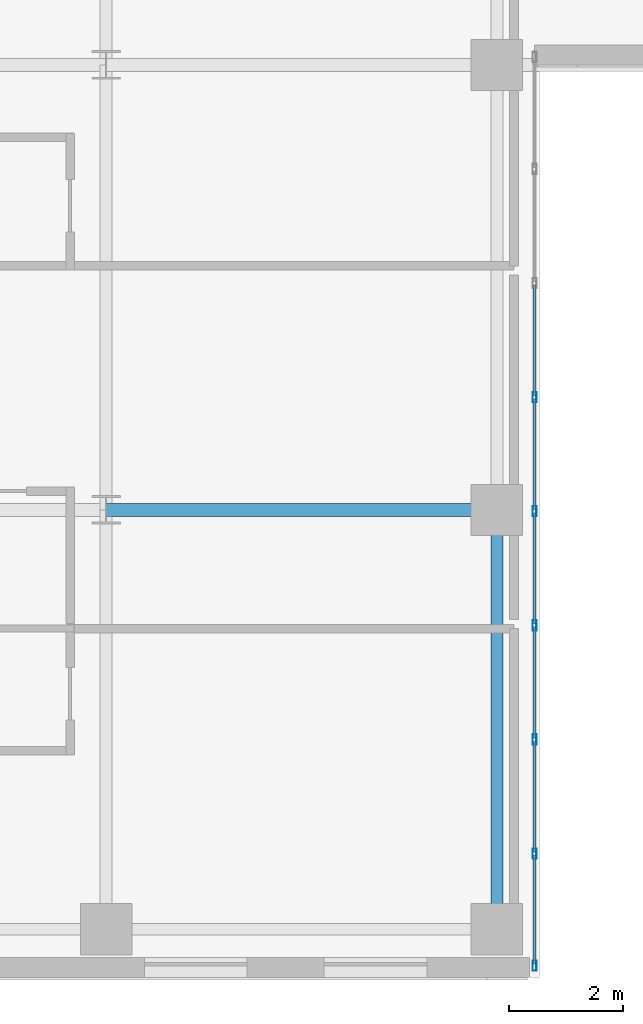
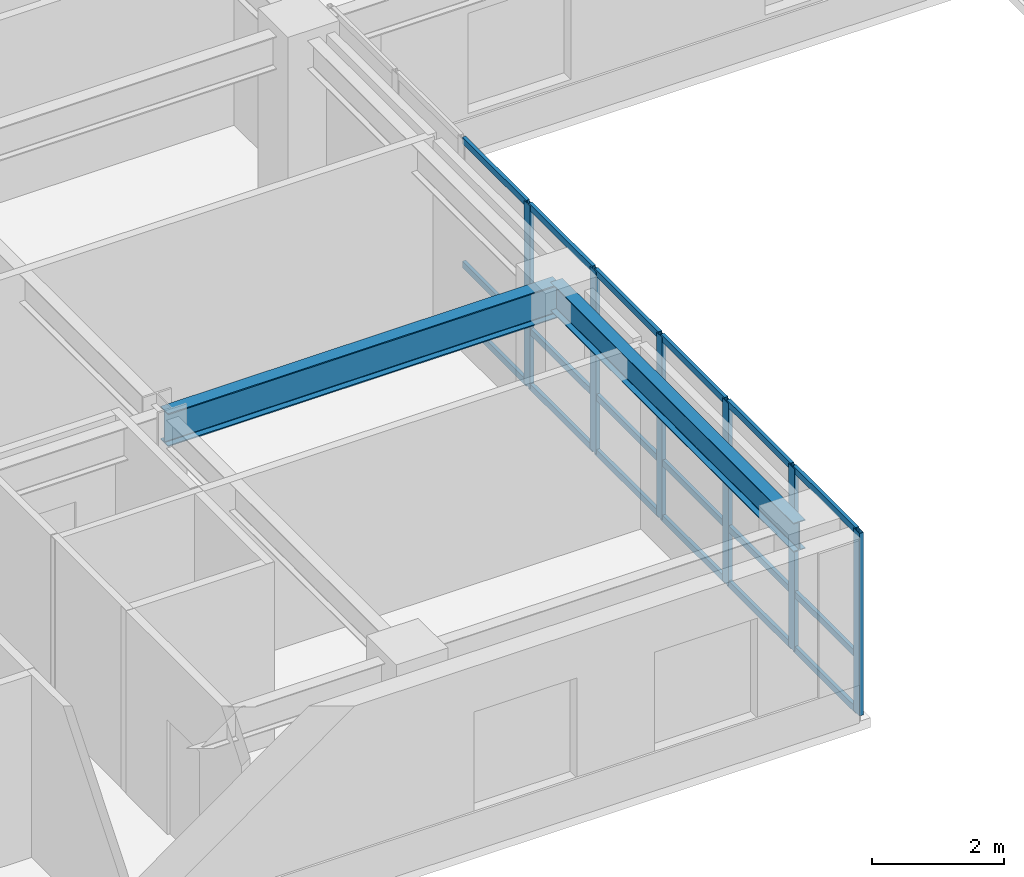
# One storey, part 6 of 37: 24 members, 2 beams, 1 element without a shape of its own.
"""IFC4 building model written with IfcOpenShell, lengths in metres."""

from ifc_helpers import new_model, si_unit, direction, frame, origin, origin_2d, place, context, subcontext, project, spatial, hollow_rectangle, i_section, extrude, source, transform, mapped, material, layer, layer_set, material_profile, profile_set, type_object, type_shapes, element, aggregate, save


model = new_model("IFC4")

# Units and contexts
model_context = context("Model", 3, precision=1e-05, world=origin(), true_north=direction((0.0, 1.0)))
body_context = subcontext(model_context, "Body", "Model", "MODEL_VIEW")
ifc_project = project(units=[si_unit("LENGTHUNIT", "METRE"), si_unit("AREAUNIT", "SQUARE_METRE"), si_unit("VOLUMEUNIT", "CUBIC_METRE"), si_unit("PLANEANGLEUNIT", "RADIAN"), si_unit("MASSUNIT", "GRAM", prefix="KILO")], contexts=[model_context])

# Site, building, storey
site_placement = place(None, origin())
site = spatial("IfcSite", under=ifc_project, at=site_placement, CompositionType="ELEMENT")
building_placement = place(site_placement, origin())
building = spatial("IfcBuilding", under=site, at=building_placement, Name="Tolvann Quenvar Hotel", CompositionType="ELEMENT")
storey_placement = place(building_placement, frame((0.0, 0.0, 104.449951171875)))
storey = spatial("IfcBuildingStorey", under=building, at=storey_placement, Name="L26", CompositionType="ELEMENT", Elevation=104.449951171875)

# Beams
ifc_material_1 = material(Name="Steel Grade 350", Category="steel")
ifc_material_profile_1 = material_profile(ifc_material_1, i_section(OverallWidth=0.22900390625, OverallDepth=0.612060546875, WebThickness=0.011962890625, FlangeThickness=0.01953125, FilletRadius=0.013916015625, at=origin_2d()), Name="610UB125")
ifc_profile_set_1 = profile_set([ifc_material_profile_1], Name="Steel Grade 350")
beam_type_1 = type_object("IfcBeamType", Name="BM_GIRD_610UB125", PredefinedType="BEAM", material=ifc_profile_set_1)
shared_shape_1 = source(origin(), body_context, "Body", "SweptSolid", [
    extrude(i_section(OverallWidth=0.22900390625, OverallDepth=0.612060546875, WebThickness=0.011962890625, FlangeThickness=0.01953125, FilletRadius=0.013916015625, at=origin_2d()), origin(), (0.0, 0.0, 1.0), 6.85009765625),
])
type_shapes(beam_type_1, [shared_shape_1])
beam_1_placement = place(storey_placement, frame((15.199951171875, 8.199951171875, 3.06396484375), z_axis=(1.0, 0.0, 0.0), x_axis=(0.0, 1.0, 0.0)))
element("IfcBeam", 1, at=beam_1_placement, inside=storey, type_object=beam_type_1, Name="BM-L26-EW-3-D3-E3", PredefinedType="BEAM", context=body_context, shape_type="MappedRepresentation", body=[
    mapped(shared_shape_1, transform((0.0, 0.0, 0.0), x_axis=(1.0, 0.0, 0.0), y_axis=(0.0, 1.0, 0.0), z_axis=(0.0, 0.0, 1.0), scale=1.0)),
])
ifc_material_profile_2 = material_profile(ifc_material_1, i_section(OverallWidth=0.208984375, OverallDepth=0.532958984375, WebThickness=0.01025390625, FlangeThickness=0.015625, FilletRadius=0.013916015625, at=origin_2d()), Name="530UB92")
ifc_profile_set_2 = profile_set([ifc_material_profile_2], Name="Steel Grade 350")
beam_type_2 = type_object("IfcBeamType", Name="BM_GIRD_530UB92", PredefinedType="BEAM", material=ifc_profile_set_2)
shared_shape_2 = source(origin(), body_context, "Body", "SweptSolid", [
    extrude(i_section(OverallWidth=0.208984375, OverallDepth=0.532958984375, WebThickness=0.01025390625, FlangeThickness=0.015625, FilletRadius=0.013916015625, at=origin_2d()), origin(), (0.0, 0.0, 1.0), 7.349853515625),
])
type_shapes(beam_type_2, [shared_shape_2])
beam_2_placement = place(storey_placement, frame((22.050048828125, 0.85009765625, 3.103515625), z_axis=(0.0, 1.0, 0.0), x_axis=(-1.0, 0.0, 0.0)))
element("IfcBeam", 2, at=beam_2_placement, inside=storey, type_object=beam_type_2, Name="BM-L26-NS-E2-E3", PredefinedType="BEAM", context=body_context, shape_type="MappedRepresentation", body=[
    mapped(shared_shape_2, transform((0.0, 0.0, 0.0), x_axis=(1.0, 0.0, 0.0), y_axis=(0.0, 1.0, 0.0), z_axis=(0.0, 0.0, 1.0), scale=1.0)),
])

# Curtain wall, members
ifc_material_2 = material(Name="Thermally broken anodised architectural aluminium 6063-T6 and laminated low-E glass", Category="aluminium")
ifc_layer = layer(ifc_material_2, 0.179931640625)
ifc_layer_set = layer_set([ifc_layer], Name="Thermally broken anodised architectural aluminium 6063-T6 and laminated low-E glass")
curtain_wall_type = type_object("IfcCurtainWallType", Name="CW_SYS_SLOT_03", PredefinedType="USERDEFINED", material=ifc_layer_set)
curtain_wall_placement = place(storey_placement, origin())
curtain_wall = element("IfcCurtainWall", 3, at=curtain_wall_placement, inside=storey, type_object=curtain_wall_type, Name="Curtain Wall CW-SLOT-03 (CWR-L26-E05)", ObjectType="UNITISED CURTAIN WALL", PredefinedType="USERDEFINED")
ifc_material_3 = material(Name="Anodised architectural aluminium 6063-T6 framing", Category="aluminium")
ifc_material_profile_3 = material_profile(ifc_material_3, hollow_rectangle(XDim=0.070068359375, YDim=0.179931640625, WallThickness=0.00390625, at=origin_2d()), Name="180x70x4RHS")
ifc_profile_set_3 = profile_set([ifc_material_profile_3], Name="Anodised architectural aluminium 6063-T6 framing")
member_type_1 = type_object("IfcMemberType", Name="CW_MULL_180x70", PredefinedType="MULLION", material=ifc_profile_set_3)
shared_shape_3 = source(origin(), body_context, "Body", "SweptSolid", [
    extrude(hollow_rectangle(XDim=0.070068359375, YDim=0.179931640625, WallThickness=0.00390625, at=origin_2d()), origin(), (0.0, 0.0, 1.0), 3.3701171875),
])
type_shapes(member_type_1, [shared_shape_3])
member_1_placement = place(storey_placement, frame((22.7099609375, 0.2099609375, 0.0), z_axis=(0.0, 0.0, 1.0), x_axis=(-1.0, 0.0, 0.0)))
member_1 = element("IfcMember", 4, at=member_1_placement, type_object=member_type_1, Name="CW-SLOT-03 mullion 1", PredefinedType="MULLION", context=body_context, shape_type="MappedRepresentation", body=[
    mapped(shared_shape_3, transform((0.0, 0.0, 0.0), x_axis=(1.0, 0.0, 0.0), y_axis=(0.0, 1.0, 0.0), z_axis=(0.0, 0.0, 1.0), scale=1.0)),
])
member_2_placement = place(storey_placement, frame((22.7099609375, 2.175048828125, 0.0), z_axis=(0.0, 0.0, 1.0), x_axis=(-1.0, 0.0, 0.0)))
member_2 = element("IfcMember", 5, at=member_2_placement, type_object=member_type_1, Name="CW-SLOT-03 mullion 2", PredefinedType="MULLION", context=body_context, shape_type="MappedRepresentation", body=[
    mapped(shared_shape_3, transform((0.0, 0.0, 0.0), x_axis=(1.0, 0.0, 0.0), y_axis=(0.0, 1.0, 0.0), z_axis=(0.0, 0.0, 1.0), scale=1.0)),
])
member_3_placement = place(storey_placement, frame((22.7099609375, 4.175048828125, 0.0), z_axis=(0.0, 0.0, 1.0), x_axis=(-1.0, 0.0, 0.0)))
member_3 = element("IfcMember", 6, at=member_3_placement, type_object=member_type_1, Name="CW-SLOT-03 mullion 3", PredefinedType="MULLION", context=body_context, shape_type="MappedRepresentation", body=[
    mapped(shared_shape_3, transform((0.0, 0.0, 0.0), x_axis=(1.0, 0.0, 0.0), y_axis=(0.0, 1.0, 0.0), z_axis=(0.0, 0.0, 1.0), scale=1.0)),
])
member_4_placement = place(storey_placement, frame((22.7099609375, 6.175048828125, 0.0), z_axis=(0.0, 0.0, 1.0), x_axis=(-1.0, 0.0, 0.0)))
member_4 = element("IfcMember", 7, at=member_4_placement, type_object=member_type_1, Name="CW-SLOT-03 mullion 4", PredefinedType="MULLION", context=body_context, shape_type="MappedRepresentation", body=[
    mapped(shared_shape_3, transform((0.0, 0.0, 0.0), x_axis=(1.0, 0.0, 0.0), y_axis=(0.0, 1.0, 0.0), z_axis=(0.0, 0.0, 1.0), scale=1.0)),
])
member_5_placement = place(storey_placement, frame((22.7099609375, 8.175048828125, 0.0), z_axis=(0.0, 0.0, 1.0), x_axis=(-1.0, 0.0, 0.0)))
member_5 = element("IfcMember", 8, at=member_5_placement, type_object=member_type_1, Name="CW-SLOT-03 mullion 5", PredefinedType="MULLION", context=body_context, shape_type="MappedRepresentation", body=[
    mapped(shared_shape_3, transform((0.0, 0.0, 0.0), x_axis=(1.0, 0.0, 0.0), y_axis=(0.0, 1.0, 0.0), z_axis=(0.0, 0.0, 1.0), scale=1.0)),
])
member_6_placement = place(storey_placement, frame((22.7099609375, 10.175048828125, 0.0), z_axis=(0.0, 0.0, 1.0), x_axis=(-1.0, 0.0, 0.0)))
member_6 = element("IfcMember", 9, at=member_6_placement, type_object=member_type_1, Name="CW-SLOT-03 mullion 6", PredefinedType="MULLION", context=body_context, shape_type="MappedRepresentation", body=[
    mapped(shared_shape_3, transform((0.0, 0.0, 0.0), x_axis=(1.0, 0.0, 0.0), y_axis=(0.0, 1.0, 0.0), z_axis=(0.0, 0.0, 1.0), scale=1.0)),
])
ifc_material_profile_4 = material_profile(ifc_material_3, hollow_rectangle(XDim=0.06005859375, YDim=0.1201171875, WallThickness=0.00341796875, at=origin_2d()), Name="120x60x3.5RHS")
ifc_profile_set_4 = profile_set([ifc_material_profile_4], Name="Anodised architectural aluminium 6063-T6 framing")
member_type_2 = type_object("IfcMemberType", Name="CW_TRAN_120x60", PredefinedType="USERDEFINED", material=ifc_profile_set_4)
shared_shape_4 = source(origin(), body_context, "Body", "SweptSolid", [
    extrude(hollow_rectangle(XDim=0.06005859375, YDim=0.1201171875, WallThickness=0.00341796875, at=origin_2d()), origin(), (0.0, 0.0, 1.0), 1.894775390625),
])
member_7_placement = place(storey_placement, frame((22.7099609375, 0.2451171875, 0.030029296875), z_axis=(0.0, 1.0, 0.0), x_axis=(-1.0, 0.0, 0.0)))
member_7 = element("IfcMember", 10, at=member_7_placement, type_object=member_type_2, Name="CW-SLOT-03 transom 1.1", ObjectType="TRANSOM", PredefinedType="USERDEFINED", context=body_context, shape_type="MappedRepresentation", body=[
    mapped(shared_shape_4, transform((0.0, 0.0, 0.0), x_axis=(1.0, 0.0, 0.0), y_axis=(0.0, 1.0, 0.0), z_axis=(0.0, 0.0, 1.0), scale=1.0)),
])
member_8_placement = place(storey_placement, frame((22.7099609375, 0.2451171875, 1.050048828125), z_axis=(0.0, 1.0, 0.0), x_axis=(-1.0, 0.0, 0.0)))
member_8 = element("IfcMember", 11, at=member_8_placement, type_object=member_type_2, Name="CW-SLOT-03 transom 1.2", ObjectType="TRANSOM", PredefinedType="USERDEFINED", context=body_context, shape_type="MappedRepresentation", body=[
    mapped(shared_shape_4, transform((0.0, 0.0, 0.0), x_axis=(1.0, 0.0, 0.0), y_axis=(0.0, 1.0, 0.0), z_axis=(0.0, 0.0, 1.0), scale=1.0)),
])
member_9_placement = place(storey_placement, frame((22.7099609375, 0.2451171875, 3.340087890625), z_axis=(0.0, 1.0, 0.0), x_axis=(-1.0, 0.0, 0.0)))
member_9 = element("IfcMember", 12, at=member_9_placement, type_object=member_type_2, Name="CW-SLOT-03 transom 1.3", ObjectType="TRANSOM", PredefinedType="USERDEFINED", context=body_context, shape_type="MappedRepresentation", body=[
    mapped(shared_shape_4, transform((0.0, 0.0, 0.0), x_axis=(1.0, 0.0, 0.0), y_axis=(0.0, 1.0, 0.0), z_axis=(0.0, 0.0, 1.0), scale=1.0)),
])
shared_shape_5 = source(origin(), body_context, "Body", "SweptSolid", [
    extrude(hollow_rectangle(XDim=0.06005859375, YDim=0.1201171875, WallThickness=0.00341796875, at=origin_2d()), origin(), (0.0, 0.0, 1.0), 1.929931640625),
])
type_shapes(member_type_2, [shared_shape_4, shared_shape_5])
member_10_placement = place(storey_placement, frame((22.7099609375, 2.2099609375, 0.030029296875), z_axis=(0.0, 1.0, 0.0), x_axis=(-1.0, 0.0, 0.0)))
member_10 = element("IfcMember", 13, at=member_10_placement, type_object=member_type_2, Name="CW-SLOT-03 transom 2.1", ObjectType="TRANSOM", PredefinedType="USERDEFINED", context=body_context, shape_type="MappedRepresentation", body=[
    mapped(shared_shape_5, transform((0.0, 0.0, 0.0), x_axis=(1.0, 0.0, 0.0), y_axis=(0.0, 1.0, 0.0), z_axis=(0.0, 0.0, 1.0), scale=1.0)),
])
member_11_placement = place(storey_placement, frame((22.7099609375, 2.2099609375, 1.050048828125), z_axis=(0.0, 1.0, 0.0), x_axis=(-1.0, 0.0, 0.0)))
member_11 = element("IfcMember", 14, at=member_11_placement, type_object=member_type_2, Name="CW-SLOT-03 transom 2.2", ObjectType="TRANSOM", PredefinedType="USERDEFINED", context=body_context, shape_type="MappedRepresentation", body=[
    mapped(shared_shape_5, transform((0.0, 0.0, 0.0), x_axis=(1.0, 0.0, 0.0), y_axis=(0.0, 1.0, 0.0), z_axis=(0.0, 0.0, 1.0), scale=1.0)),
])
member_12_placement = place(storey_placement, frame((22.7099609375, 2.2099609375, 3.340087890625), z_axis=(0.0, 1.0, 0.0), x_axis=(-1.0, 0.0, 0.0)))
member_12 = element("IfcMember", 15, at=member_12_placement, type_object=member_type_2, Name="CW-SLOT-03 transom 2.3", ObjectType="TRANSOM", PredefinedType="USERDEFINED", context=body_context, shape_type="MappedRepresentation", body=[
    mapped(shared_shape_5, transform((0.0, 0.0, 0.0), x_axis=(1.0, 0.0, 0.0), y_axis=(0.0, 1.0, 0.0), z_axis=(0.0, 0.0, 1.0), scale=1.0)),
])
member_13_placement = place(storey_placement, frame((22.7099609375, 4.2099609375, 0.030029296875), z_axis=(0.0, 1.0, 0.0), x_axis=(-1.0, 0.0, 0.0)))
member_13 = element("IfcMember", 16, at=member_13_placement, type_object=member_type_2, Name="CW-SLOT-03 transom 3.1", ObjectType="TRANSOM", PredefinedType="USERDEFINED", context=body_context, shape_type="MappedRepresentation", body=[
    mapped(shared_shape_5, transform((0.0, 0.0, 0.0), x_axis=(1.0, 0.0, 0.0), y_axis=(0.0, 1.0, 0.0), z_axis=(0.0, 0.0, 1.0), scale=1.0)),
])
member_14_placement = place(storey_placement, frame((22.7099609375, 4.2099609375, 1.050048828125), z_axis=(0.0, 1.0, 0.0), x_axis=(-1.0, 0.0, 0.0)))
member_14 = element("IfcMember", 17, at=member_14_placement, type_object=member_type_2, Name="CW-SLOT-03 transom 3.2", ObjectType="TRANSOM", PredefinedType="USERDEFINED", context=body_context, shape_type="MappedRepresentation", body=[
    mapped(shared_shape_5, transform((0.0, 0.0, 0.0), x_axis=(1.0, 0.0, 0.0), y_axis=(0.0, 1.0, 0.0), z_axis=(0.0, 0.0, 1.0), scale=1.0)),
])
member_15_placement = place(storey_placement, frame((22.7099609375, 4.2099609375, 3.340087890625), z_axis=(0.0, 1.0, 0.0), x_axis=(-1.0, 0.0, 0.0)))
member_15 = element("IfcMember", 18, at=member_15_placement, type_object=member_type_2, Name="CW-SLOT-03 transom 3.3", ObjectType="TRANSOM", PredefinedType="USERDEFINED", context=body_context, shape_type="MappedRepresentation", body=[
    mapped(shared_shape_5, transform((0.0, 0.0, 0.0), x_axis=(1.0, 0.0, 0.0), y_axis=(0.0, 1.0, 0.0), z_axis=(0.0, 0.0, 1.0), scale=1.0)),
])
member_16_placement = place(storey_placement, frame((22.7099609375, 6.2099609375, 0.030029296875), z_axis=(0.0, 1.0, 0.0), x_axis=(-1.0, 0.0, 0.0)))
member_16 = element("IfcMember", 19, at=member_16_placement, type_object=member_type_2, Name="CW-SLOT-03 transom 4.1", ObjectType="TRANSOM", PredefinedType="USERDEFINED", context=body_context, shape_type="MappedRepresentation", body=[
    mapped(shared_shape_5, transform((0.0, 0.0, 0.0), x_axis=(1.0, 0.0, 0.0), y_axis=(0.0, 1.0, 0.0), z_axis=(0.0, 0.0, 1.0), scale=1.0)),
])
member_17_placement = place(storey_placement, frame((22.7099609375, 6.2099609375, 1.050048828125), z_axis=(0.0, 1.0, 0.0), x_axis=(-1.0, 0.0, 0.0)))
member_17 = element("IfcMember", 20, at=member_17_placement, type_object=member_type_2, Name="CW-SLOT-03 transom 4.2", ObjectType="TRANSOM", PredefinedType="USERDEFINED", context=body_context, shape_type="MappedRepresentation", body=[
    mapped(shared_shape_5, transform((0.0, 0.0, 0.0), x_axis=(1.0, 0.0, 0.0), y_axis=(0.0, 1.0, 0.0), z_axis=(0.0, 0.0, 1.0), scale=1.0)),
])
member_18_placement = place(storey_placement, frame((22.7099609375, 6.2099609375, 3.340087890625), z_axis=(0.0, 1.0, 0.0), x_axis=(-1.0, 0.0, 0.0)))
member_18 = element("IfcMember", 21, at=member_18_placement, type_object=member_type_2, Name="CW-SLOT-03 transom 4.3", ObjectType="TRANSOM", PredefinedType="USERDEFINED", context=body_context, shape_type="MappedRepresentation", body=[
    mapped(shared_shape_5, transform((0.0, 0.0, 0.0), x_axis=(1.0, 0.0, 0.0), y_axis=(0.0, 1.0, 0.0), z_axis=(0.0, 0.0, 1.0), scale=1.0)),
])
member_19_placement = place(storey_placement, frame((22.7099609375, 8.2099609375, 0.030029296875), z_axis=(0.0, 1.0, 0.0), x_axis=(-1.0, 0.0, 0.0)))
member_19 = element("IfcMember", 22, at=member_19_placement, type_object=member_type_2, Name="CW-SLOT-03 transom 5.1", ObjectType="TRANSOM", PredefinedType="USERDEFINED", context=body_context, shape_type="MappedRepresentation", body=[
    mapped(shared_shape_5, transform((0.0, 0.0, 0.0), x_axis=(1.0, 0.0, 0.0), y_axis=(0.0, 1.0, 0.0), z_axis=(0.0, 0.0, 1.0), scale=1.0)),
])
member_20_placement = place(storey_placement, frame((22.7099609375, 8.2099609375, 1.050048828125), z_axis=(0.0, 1.0, 0.0), x_axis=(-1.0, 0.0, 0.0)))
member_20 = element("IfcMember", 23, at=member_20_placement, type_object=member_type_2, Name="CW-SLOT-03 transom 5.2", ObjectType="TRANSOM", PredefinedType="USERDEFINED", context=body_context, shape_type="MappedRepresentation", body=[
    mapped(shared_shape_5, transform((0.0, 0.0, 0.0), x_axis=(1.0, 0.0, 0.0), y_axis=(0.0, 1.0, 0.0), z_axis=(0.0, 0.0, 1.0), scale=1.0)),
])
member_21_placement = place(storey_placement, frame((22.7099609375, 8.2099609375, 3.340087890625), z_axis=(0.0, 1.0, 0.0), x_axis=(-1.0, 0.0, 0.0)))
member_21 = element("IfcMember", 24, at=member_21_placement, type_object=member_type_2, Name="CW-SLOT-03 transom 5.3", ObjectType="TRANSOM", PredefinedType="USERDEFINED", context=body_context, shape_type="MappedRepresentation", body=[
    mapped(shared_shape_5, transform((0.0, 0.0, 0.0), x_axis=(1.0, 0.0, 0.0), y_axis=(0.0, 1.0, 0.0), z_axis=(0.0, 0.0, 1.0), scale=1.0)),
])
member_22_placement = place(storey_placement, frame((22.7099609375, 10.2099609375, 0.030029296875), z_axis=(0.0, 1.0, 0.0), x_axis=(-1.0, 0.0, 0.0)))
member_22 = element("IfcMember", 25, at=member_22_placement, type_object=member_type_2, Name="CW-SLOT-03 transom 6.1", ObjectType="TRANSOM", PredefinedType="USERDEFINED", context=body_context, shape_type="MappedRepresentation", body=[
    mapped(shared_shape_5, transform((0.0, 0.0, 0.0), x_axis=(1.0, 0.0, 0.0), y_axis=(0.0, 1.0, 0.0), z_axis=(0.0, 0.0, 1.0), scale=1.0)),
])
member_23_placement = place(storey_placement, frame((22.7099609375, 10.2099609375, 1.050048828125), z_axis=(0.0, 1.0, 0.0), x_axis=(-1.0, 0.0, 0.0)))
member_23 = element("IfcMember", 26, at=member_23_placement, type_object=member_type_2, Name="CW-SLOT-03 transom 6.2", ObjectType="TRANSOM", PredefinedType="USERDEFINED", context=body_context, shape_type="MappedRepresentation", body=[
    mapped(shared_shape_5, transform((0.0, 0.0, 0.0), x_axis=(1.0, 0.0, 0.0), y_axis=(0.0, 1.0, 0.0), z_axis=(0.0, 0.0, 1.0), scale=1.0)),
])
member_24_placement = place(storey_placement, frame((22.7099609375, 10.2099609375, 3.340087890625), z_axis=(0.0, 1.0, 0.0), x_axis=(-1.0, 0.0, 0.0)))
member_24 = element("IfcMember", 27, at=member_24_placement, type_object=member_type_2, Name="CW-SLOT-03 transom 6.3", ObjectType="TRANSOM", PredefinedType="USERDEFINED", context=body_context, shape_type="MappedRepresentation", body=[
    mapped(shared_shape_5, transform((0.0, 0.0, 0.0), x_axis=(1.0, 0.0, 0.0), y_axis=(0.0, 1.0, 0.0), z_axis=(0.0, 0.0, 1.0), scale=1.0)),
])
aggregate(curtain_wall, [member_1, member_2, member_3, member_4, member_5, member_6, member_7, member_8, member_9, member_10, member_11, member_12, member_13, member_14, member_15, member_16, member_17, member_18, member_19, member_20, member_21, member_22, member_23, member_24])

save(model, "model.ifc")
